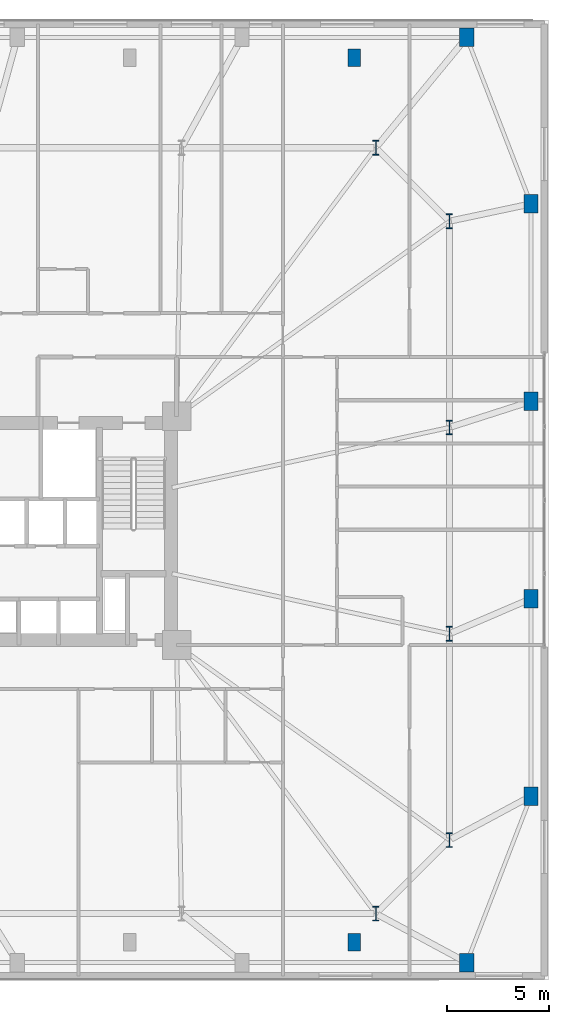
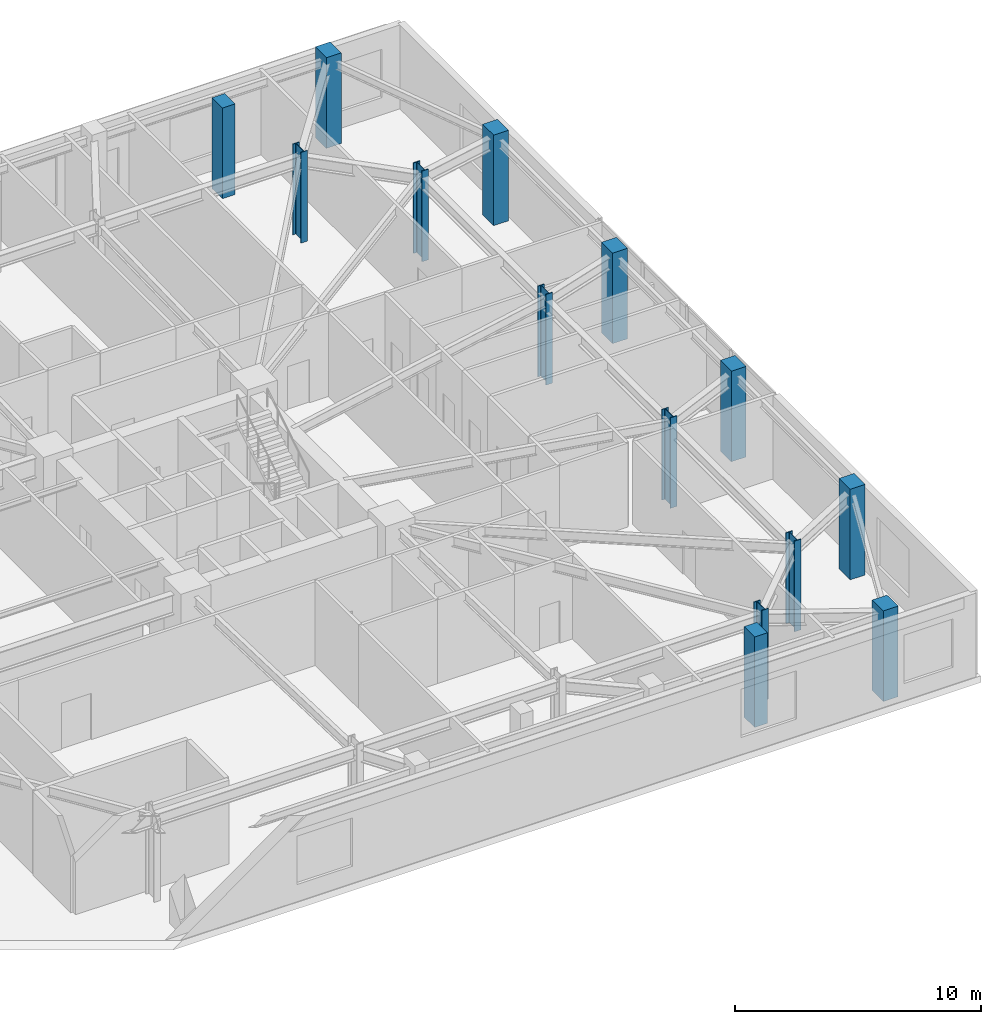
# One storey, part 3 of 21: 14 columns.
"""IFC4 building model written with IfcOpenShell, lengths in metres."""

from ifc_helpers import new_model, si_unit, direction, frame, origin, origin_2d, place, context, subcontext, project, spatial, rectangle, i_section, extrude, material, material_profile, profile_set, type_object, element, save


model = new_model("IFC4")

# Units and contexts
model_context = context("Model", 3, precision=1e-05, world=origin(), true_north=direction((0.0, 1.0)))
body_context = subcontext(model_context, "Body", "Model", "MODEL_VIEW")
ifc_project = project(units=[si_unit("LENGTHUNIT", "METRE"), si_unit("AREAUNIT", "SQUARE_METRE"), si_unit("VOLUMEUNIT", "CUBIC_METRE"), si_unit("PLANEANGLEUNIT", "RADIAN"), si_unit("MASSUNIT", "GRAM", prefix="KILO")], contexts=[model_context])

# Site, building, storey
site_placement = place(None, origin())
site = spatial("IfcSite", under=ifc_project, at=site_placement, CompositionType="ELEMENT")
building_placement = place(site_placement, origin())
building = spatial("IfcBuilding", under=site, at=building_placement, Name="Qobustan Lattice House", CompositionType="ELEMENT")
storey_placement = place(building_placement, frame((0.0, 0.0, 22.5)))
storey = spatial("IfcBuildingStorey", under=building, at=storey_placement, Name="L05", CompositionType="ELEMENT", Elevation=22.5)

# Columns
ifc_material_1 = material(Name="Concrete C50/60", Category="concrete")
ifc_material_profile_1 = material_profile(ifc_material_1, rectangle(XDim=0.60009765625, YDim=0.85009765625, at=origin_2d()), Name="RC600x850")
ifc_profile_set_1 = profile_set([ifc_material_profile_1], Name="Concrete C50/60")
column_type_1 = type_object("IfcColumnType", Name="COL-PIL-600x850", PredefinedType="PILASTER", material=ifc_profile_set_1)
for number, where, z_axis, x_axis, name in (
    (1, (27.5, -20.14990234375, 0.0), (0.0, 0.0, 1.0), (1.0, 0.0, 0.0), "L05 colonnade pilaster S4"),
    (2, (27.5, 23.14990234375, 0.0), (0.0, 0.0, 1.0), (1.0, 0.0, 0.0), "L05 colonnade pilaster N4"),
):
    element("IfcColumn", number, at=place(storey_placement, frame(where, z_axis=z_axis, x_axis=x_axis)), inside=storey, type_object=column_type_1, Name=name, PredefinedType="PILASTER", context=body_context, shape_type="SweptSolid", body=[
        extrude(rectangle(XDim=0.60009765625, YDim=0.85009765625, at=origin_2d()), origin(), (0.0, 0.0, 1.0), 4.5),
    ])
ifc_material_2 = material(Name="Concrete C50/60", Category="concrete")
ifc_material_profile_2 = material_profile(ifc_material_2, rectangle(XDim=0.699951171875, YDim=0.89990234375, at=origin_2d()), Name="RC700x900")
ifc_profile_set_2 = profile_set([ifc_material_profile_2], Name="Concrete C50/60")
column_type_2 = type_object("IfcColumnType", Name="COL-RC-700x900", PredefinedType="COLUMN", material=ifc_profile_set_2)
for number, where, z_axis, x_axis, name in (
    (3, (33.0, -21.14990234375, 0.0), (0.0, 0.0, 1.0), (1.0, 0.0, 0.0), "L05 podium column PS7"),
    (4, (33.0, 24.14990234375, 0.0), (0.0, 0.0, 1.0), (1.0, 0.0, 0.0), "L05 podium column PN7"),
    (5, (36.14990234375, -13.0, 0.0), (0.0, 0.0, 1.0), (1.0, 0.0, 0.0), "L05 podium column PE1"),
    (6, (36.14990234375, -3.333251953125, 0.0), (0.0, 0.0, 1.0), (1.0, 0.0, 0.0), "L05 podium column PE2"),
    (7, (36.14990234375, 6.33349609375, 0.0), (0.0, 0.0, 1.0), (1.0, 0.0, 0.0), "L05 podium column PE3"),
    (8, (36.14990234375, 16.0, 0.0), (0.0, 0.0, 1.0), (1.0, 0.0, 0.0), "L05 podium column PE4"),
):
    element("IfcColumn", number, at=place(storey_placement, frame(where, z_axis=z_axis, x_axis=x_axis)), inside=storey, type_object=column_type_2, Name=name, PredefinedType="COLUMN", context=body_context, shape_type="SweptSolid", body=[
        extrude(rectangle(XDim=0.699951171875, YDim=0.89990234375, at=origin_2d()), origin(), (0.0, 0.0, 1.0), 4.5),
    ])
ifc_material_3 = material(Name="Steel S460", Category="steel")
ifc_material_profile_3 = material_profile(ifc_material_3, i_section(OverallWidth=0.303955078125, OverallDepth=0.716064453125, WebThickness=0.02099609375, FlangeThickness=0.0400390625, FilletRadius=0.027099609375, at=origin_2d()), Name="HEM700")
ifc_profile_set_3 = profile_set([ifc_material_profile_3], Name="Steel S460")
column_type_3 = type_object("IfcColumnType", Name="COL-ST-HEM700", PredefinedType="COLUMN", material=ifc_profile_set_3)
for number, where, z_axis, x_axis, name in (
    (9, (28.550048828125, -18.75, 0.0), (0.0, 0.0, 1.0), (1.0, 0.0, 0.0), "L05 tower base column S7"),
    (10, (28.550048828125, 18.75, 0.0), (0.0, 0.0, 1.0), (1.0, 0.0, 0.0), "L05 tower base column N1"),
    (11, (32.14990234375, -15.14990234375, 0.0), (0.0, 0.0, 1.0), (1.0, 0.0, 0.0), "L05 tower base column E1"),
    (12, (32.14990234375, -5.050048828125, 0.0), (0.0, 0.0, 1.0), (1.0, 0.0, 0.0), "L05 tower base column E2"),
    (13, (32.14990234375, 5.050048828125, 0.0), (0.0, 0.0, 1.0), (1.0, 0.0, 0.0), "L05 tower base column E3"),
    (14, (32.14990234375, 15.14990234375, 0.0), (0.0, 0.0, 1.0), (1.0, 0.0, 0.0), "L05 tower base column E4"),
):
    element("IfcColumn", number, at=place(storey_placement, frame(where, z_axis=z_axis, x_axis=x_axis)), inside=storey, type_object=column_type_3, Name=name, PredefinedType="COLUMN", context=body_context, shape_type="SweptSolid", body=[
        extrude(i_section(OverallWidth=0.303955078125, OverallDepth=0.716064453125, WebThickness=0.02099609375, FlangeThickness=0.0400390625, FilletRadius=0.027099609375, at=origin_2d()), origin(), (0.0, 0.0, 1.0), 4.5),
    ])

save(model, "model.ifc")
